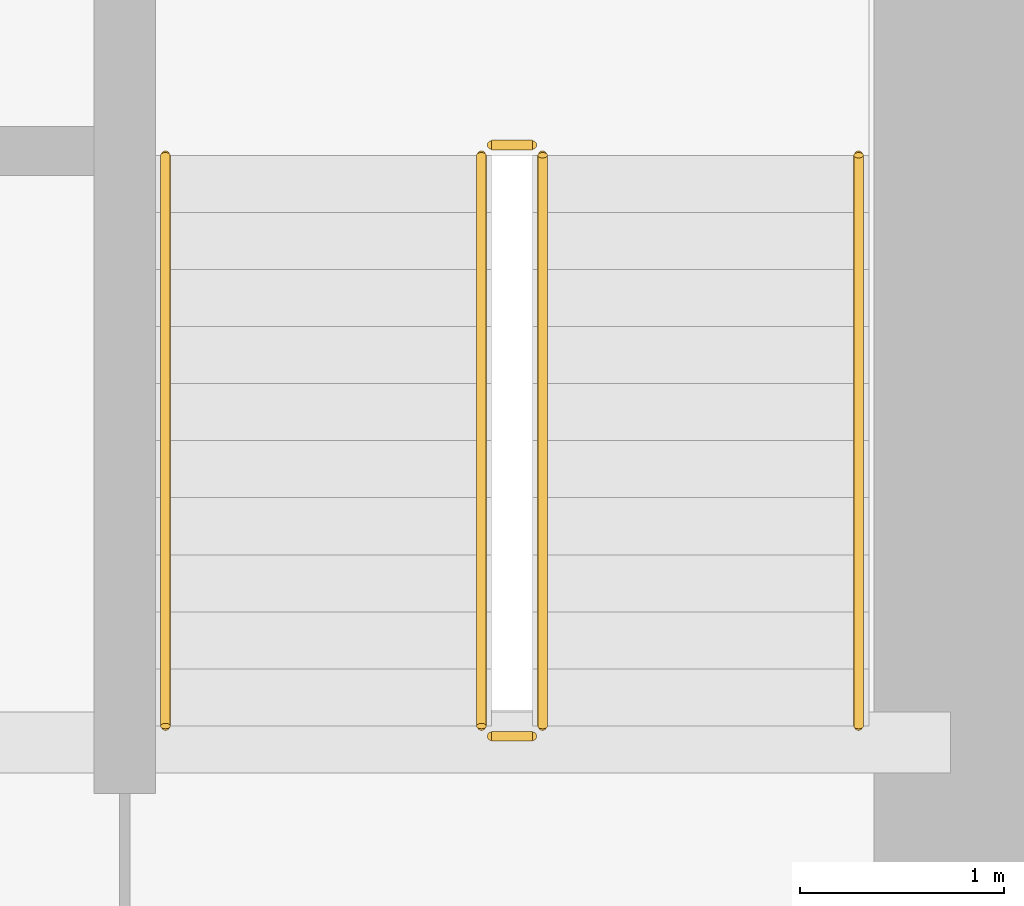
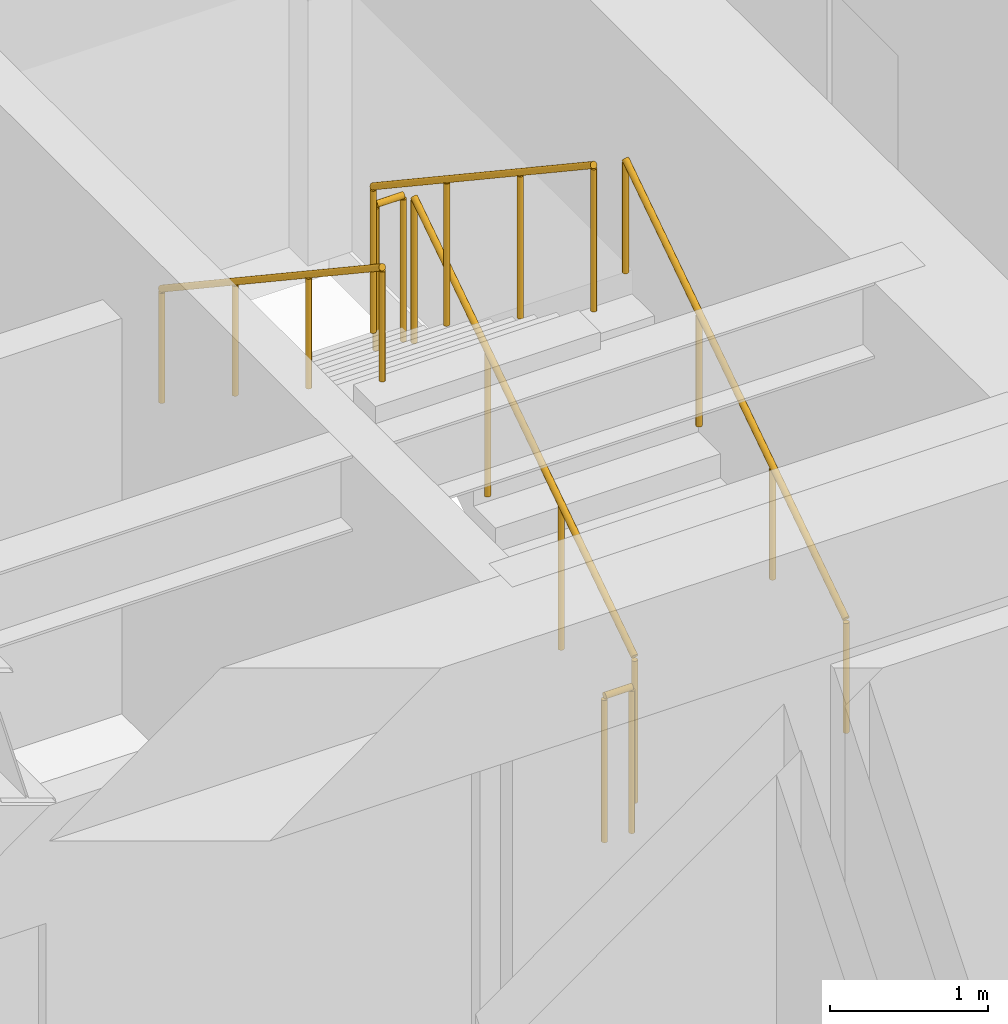
# One storey, part 35 of 35: 6 railings.
"""IFC4 building model written with IfcOpenShell, lengths in metres."""

from ifc_helpers import new_model, si_unit, direction, frame, origin, origin_2d, place, context, subcontext, project, spatial, circle, extrude, source, transform, mapped, material, type_object, type_shapes, element, save


model = new_model("IFC4")

# Units and contexts
model_context = context("Model", 3, precision=1e-05, world=origin(), true_north=direction((0.0, 1.0)))
body_context = subcontext(model_context, "Body", "Model", "MODEL_VIEW")
ifc_project = project(units=[si_unit("LENGTHUNIT", "METRE"), si_unit("AREAUNIT", "SQUARE_METRE"), si_unit("VOLUMEUNIT", "CUBIC_METRE"), si_unit("PLANEANGLEUNIT", "RADIAN"), si_unit("MASSUNIT", "GRAM", prefix="KILO")], contexts=[model_context])

# Site, building, storey
site_placement = place(None, origin())
site = spatial("IfcSite", under=ifc_project, at=site_placement, CompositionType="ELEMENT")
building_placement = place(site_placement, origin())
building = spatial("IfcBuilding", under=site, at=building_placement, Name="Haelvirn Gate Laboratories", CompositionType="ELEMENT")
storey_placement = place(building_placement, frame((0.0, 0.0, 45.699951171875)))
storey = spatial("IfcBuildingStorey", under=building, at=storey_placement, Name="L11", CompositionType="ELEMENT", Elevation=45.699951171875)

# Railings
ifc_material_1 = material(Name="Galvanised steel SM355 & stainless top rail", Category="steel")
railing_type_1 = type_object("IfcRailingType", Name="RL-GUARD-1150", PredefinedType="GUARDRAIL", material=ifc_material_1)
shared_shape_1 = source(origin(), body_context, "Body", "SweptSolid", [
    extrude(circle(Radius=0.02392578125, at=origin_2d()), frame((0.0, 0.0, 1.1259765625), z_axis=(0.0, 0.832485552168, 0.554046753832), x_axis=(-1.0, 0.0, 0.0)), (0.0, 0.0, 1.0), 3.363525390625),
    extrude(circle(Radius=0.02099609375, at=origin_2d()), origin(), (0.0, 0.0, 1.0), 1.101806640625),
    extrude(circle(Radius=0.02099609375, at=origin_2d()), frame((0.0, 0.933349609375, 0.62109375)), (0.0, 0.0, 1.0), 1.101806640625),
    extrude(circle(Radius=0.02099609375, at=origin_2d()), frame((0.0, 1.86669921875, 1.242431640625)), (0.0, 0.0, 1.0), 1.101806640625),
    extrude(circle(Radius=0.02099609375, at=origin_2d()), frame((0.0, 2.800048828125, 1.863525390625)), (0.0, 0.0, 1.0), 1.101806640625),
])
railing_1_placement = place(storey_placement, frame((65.39990234375, 26.699951171875, 0.1865234375)))
element("IfcRailing", 1, at=railing_1_placement, inside=storey, type_object=railing_type_1, Name="L11 ST2 stair guard 1", PredefinedType="GUARDRAIL", context=body_context, shape_type="MappedRepresentation", body=[
    mapped(shared_shape_1, transform((0.0, 0.0, 0.0), scale=1.0)),
])
shared_shape_2 = source(origin(), body_context, "Body", "SweptSolid", [
    extrude(circle(Radius=0.02392578125, at=origin_2d()), frame((0.0, 0.0, 1.1259765625), z_axis=(0.0, -0.832452072856, 0.554097055034), x_axis=(1.0, 0.0, 0.0)), (0.0, 0.0, 1.0), 3.363525390625),
    extrude(circle(Radius=0.02099609375, at=origin_2d()), origin(), (0.0, 0.0, 1.0), 1.101806640625),
    extrude(circle(Radius=0.02099609375, at=origin_2d()), frame((0.0, -0.933349609375, 0.621337890625)), (0.0, 0.0, 1.0), 1.101806640625),
    extrude(circle(Radius=0.02099609375, at=origin_2d()), frame((0.0, -1.86669921875, 1.242431640625)), (0.0, 0.0, 1.0), 1.101806640625),
    extrude(circle(Radius=0.02099609375, at=origin_2d()), frame((0.0, -2.800048828125, 1.86376953125)), (0.0, 0.0, 1.0), 1.101806640625),
])
railing_2_placement = place(storey_placement, frame((65.10009765625, 29.5, 2.236328125)))
element("IfcRailing", 2, at=railing_2_placement, inside=storey, type_object=railing_type_1, Name="L11 ST2 stair guard 3", PredefinedType="GUARDRAIL", context=body_context, shape_type="MappedRepresentation", body=[
    mapped(shared_shape_2, transform((0.0, 0.0, 0.0), scale=1.0)),
])
ifc_material_2 = material(Name="Brushed stainless steel 316L", Category="steel")
railing_type_2 = type_object("IfcRailingType", Name="RL-HAND-920", PredefinedType="HANDRAIL", material=ifc_material_2)
shared_shape_3 = source(origin(), body_context, "Body", "SweptSolid", [
    extrude(circle(Radius=0.02392578125, at=origin_2d()), frame((0.0, 0.0, 0.8759765625), z_axis=(0.0, 0.832485552168, 0.554046753832), x_axis=(-1.0, 0.0, 0.0)), (0.0, 0.0, 1.0), 3.363525390625),
    extrude(circle(Radius=0.02099609375, at=origin_2d()), origin(), (0.0, 0.0, 1.0), 0.851806640625),
    extrude(circle(Radius=0.02099609375, at=origin_2d()), frame((0.0, 0.933349609375, 0.62109375)), (0.0, 0.0, 1.0), 0.851806640625),
    extrude(circle(Radius=0.02099609375, at=origin_2d()), frame((0.0, 1.86669921875, 1.242431640625)), (0.0, 0.0, 1.0), 0.851806640625),
    extrude(circle(Radius=0.02099609375, at=origin_2d()), frame((0.0, 2.800048828125, 1.863525390625)), (0.0, 0.0, 1.0), 0.851806640625),
])
railing_3_placement = place(storey_placement, frame((66.949951171875, 26.699951171875, 0.1865234375)))
element("IfcRailing", 3, at=railing_3_placement, inside=storey, type_object=railing_type_2, Name="L11 ST2 stair handrail 1", PredefinedType="HANDRAIL", context=body_context, shape_type="MappedRepresentation", body=[
    mapped(shared_shape_3, transform((0.0, 0.0, 0.0), scale=1.0)),
])
shared_shape_4 = source(origin(), body_context, "Body", "SweptSolid", [
    extrude(circle(Radius=0.02392578125, at=origin_2d()), frame((0.0, 0.0, 0.8759765625), z_axis=(0.0, -0.832452072856, 0.554097055034), x_axis=(1.0, 0.0, 0.0)), (0.0, 0.0, 1.0), 3.363525390625),
    extrude(circle(Radius=0.02099609375, at=origin_2d()), origin(), (0.0, 0.0, 1.0), 0.851806640625),
    extrude(circle(Radius=0.02099609375, at=origin_2d()), frame((0.0, -0.933349609375, 0.621337890625)), (0.0, 0.0, 1.0), 0.851806640625),
    extrude(circle(Radius=0.02099609375, at=origin_2d()), frame((0.0, -1.86669921875, 1.242431640625)), (0.0, 0.0, 1.0), 0.851806640625),
    extrude(circle(Radius=0.02099609375, at=origin_2d()), frame((0.0, -2.800048828125, 1.86376953125)), (0.0, 0.0, 1.0), 0.851806640625),
])
type_shapes(railing_type_2, [shared_shape_3, shared_shape_4])
railing_4_placement = place(storey_placement, frame((63.550048828125, 29.5, 2.236328125)))
element("IfcRailing", 4, at=railing_4_placement, inside=storey, type_object=railing_type_2, Name="L11 ST2 stair handrail 2", PredefinedType="HANDRAIL", context=body_context, shape_type="MappedRepresentation", body=[
    mapped(shared_shape_4, transform((0.0, 0.0, 0.0), scale=1.0)),
])
shared_shape_5 = source(origin(), body_context, "Body", "SweptSolid", [
    extrude(circle(Radius=0.02392578125, at=origin_2d()), frame((0.0, 0.0, 1.1259765625), z_axis=(-1.0, 0.0, 0.0), x_axis=(0.0, -1.0, 0.0)), (0.0, 0.0, 1.0), 0.2001953125),
    extrude(circle(Radius=0.02099609375, at=origin_2d()), origin(), (0.0, 0.0, 1.0), 1.101806640625),
    extrude(circle(Radius=0.02099609375, at=origin_2d()), frame((-0.2001953125, 0.0, 0.0)), (0.0, 0.0, 1.0), 1.101806640625),
])
type_shapes(railing_type_1, [shared_shape_1, shared_shape_2, shared_shape_5])
for number, where, name in (
    (5, (65.35009765625, 29.550048828125, 2.050048828125), "L11 ST2 stair guard 2"),
    (6, (65.35009765625, 26.64990234375, 0.0), "L11 ST2 stair guard 4"),
):
    element("IfcRailing", number, at=place(storey_placement, frame(where)), inside=storey, type_object=railing_type_1, Name=name, PredefinedType="GUARDRAIL", context=body_context, shape_type="MappedRepresentation", body=[
        mapped(shared_shape_5, transform((0.0, 0.0, 0.0), scale=1.0)),
    ])

save(model, "model.ifc")
